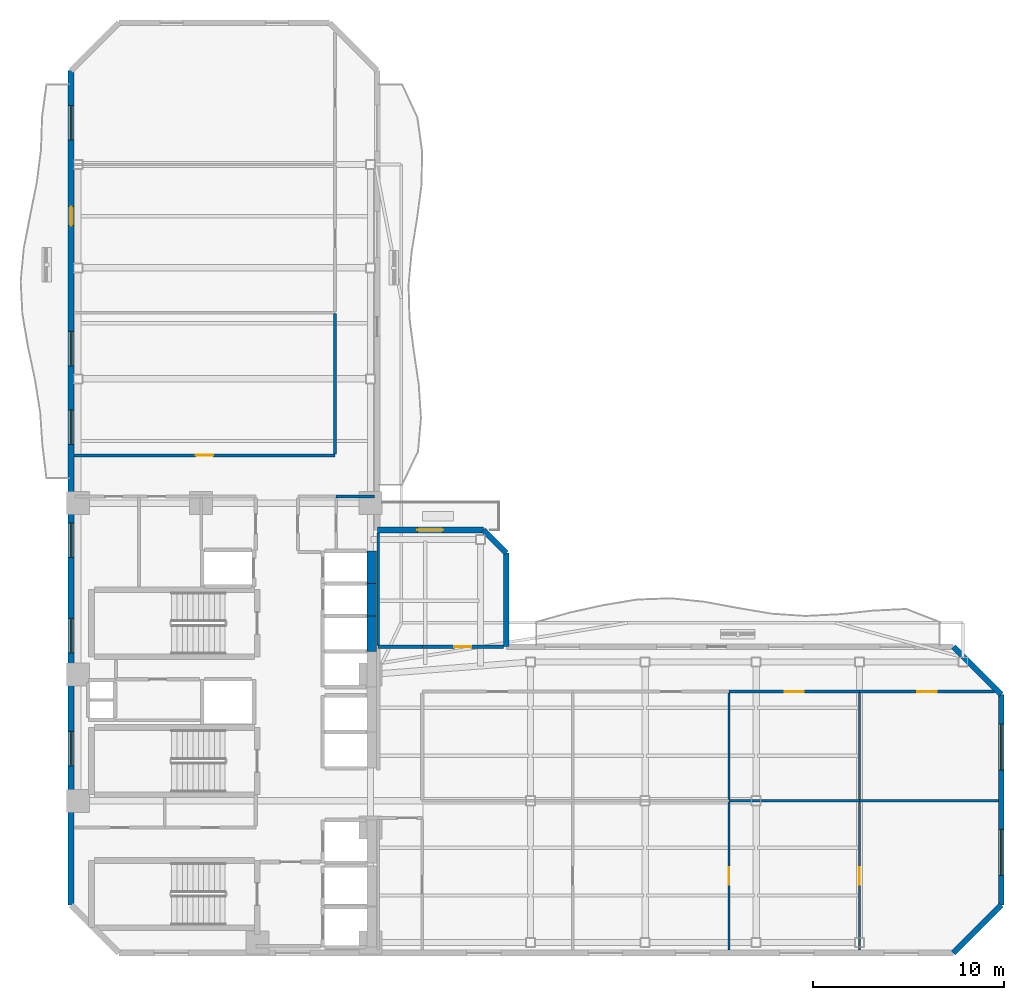
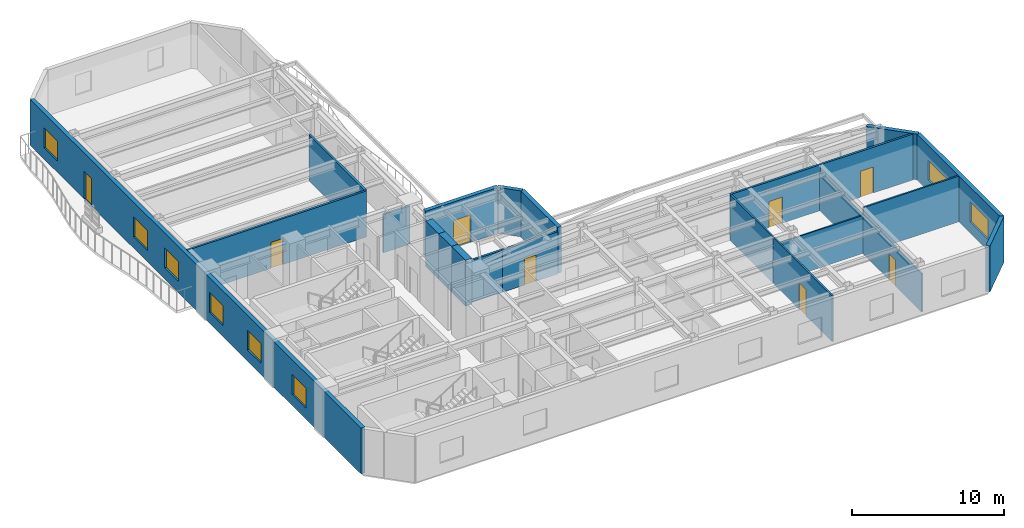
# One storey, part 5 of 10: 24 walls, 8 doors, 8 windows, 16 openings.
"""IFC4 building model written with IfcOpenShell, lengths in metres."""

from ifc_helpers import new_model, si_unit, direction, frame, frame_2d, origin, place, context, subcontext, project, spatial, rectangle, extrude, material, layer, layer_set, type_object, element, fill, save


model = new_model("IFC4")

# Units and contexts
model_context = context("Model", 3, precision=1e-05, world=origin(), true_north=direction((0.0, 1.0)))
body_context = subcontext(model_context, "Body", "Model", "MODEL_VIEW")
ifc_project = project(units=[si_unit("LENGTHUNIT", "METRE"), si_unit("AREAUNIT", "SQUARE_METRE"), si_unit("VOLUMEUNIT", "CUBIC_METRE"), si_unit("PLANEANGLEUNIT", "RADIAN"), si_unit("MASSUNIT", "GRAM", prefix="KILO")], contexts=[model_context])

# Site, building, storey
site_placement = place(None, origin())
site = spatial("IfcSite", under=ifc_project, at=site_placement, CompositionType="ELEMENT")
building_placement = place(site_placement, origin())
building = spatial("IfcBuilding", under=site, at=building_placement, Name="Mawjaban Terraces University", CompositionType="ELEMENT")
storey_placement = place(building_placement, frame((0.0, 0.0, 158.0)))
storey = spatial("IfcBuildingStorey", under=building, at=storey_placement, Name="L38", CompositionType="ELEMENT", Elevation=158.0)

# Walls
ifc_material_1 = material(Name="Concrete C60/75", Category="concrete")
ifc_layer_1 = layer(ifc_material_1, 0.5)
ifc_layer_set_1 = layer_set([ifc_layer_1], Name="Concrete C60/75")
wall_type_1 = type_object("IfcWallType", Name="CoreShearWall_500", PredefinedType="SHEAR", material=ifc_layer_set_1)
wall_1_placement = place(storey_placement, frame((37.699951171875, 15.75, 0.0), z_axis=(0.0, 0.0, 1.0), x_axis=(0.0, 1.0, 0.0)))
element("IfcWall", 1, at=wall_1_placement, inside=storey, type_object=wall_type_1, Name="L38 Lift OL-2 Hoistway Wall East", PredefinedType="SHEAR", context=body_context, shape_type="SweptSolid", body=[
    extrude(rectangle(XDim=1.85009765625, YDim=0.5, at=frame_2d((0.925048828125, 0.0))), origin(), (0.0, 0.0, 1.0), 3.68994140625),
])
for number, where, z_axis, x_axis, name in (
    (2, (37.699951171875, 17.60009765625, 0.0), (0.0, 0.0, 1.0), (0.0, 1.0, 0.0), "L38 Lift PL-M1 Hoistway Wall East"),
    (3, (37.699951171875, 19.300048828125, 0.0), (0.0, 0.0, 1.0), (0.0, 1.0, 0.0), "L38 Lift PL-M2 Hoistway Wall East"),
):
    element("IfcWall", number, at=place(storey_placement, frame(where, z_axis=z_axis, x_axis=x_axis)), inside=storey, type_object=wall_type_1, Name=name, PredefinedType="SHEAR", context=body_context, shape_type="SweptSolid", body=[
        extrude(rectangle(XDim=1.699951171875, YDim=0.5, at=frame_2d((0.85009765625, 0.0))), origin(), (0.0, 0.0, 1.0), 3.68994140625),
    ])

# Wall, opening, door
ifc_material_2 = material(Name="Fire-rated gypsum board on steel stud", Category="steel")
ifc_layer_2 = layer(ifc_material_2, 0.159912109375)
ifc_layer_set_2 = layer_set([ifc_layer_2], Name="Fire-rated gypsum board on steel stud")
wall_type_2 = type_object("IfcWallType", Name="CorridorPartition_160", PredefinedType="PARTITIONING", material=ifc_layer_set_2)
wall_2_placement = place(storey_placement, frame((35.800048828125, 26.0, 0.0), z_axis=(0.0, 0.0, 1.0), x_axis=(-1.0, 0.0, 0.0)))
wall_2 = element("IfcWall", 4, at=wall_2_placement, inside=storey, type_object=wall_type_2, Name="L38 North Core Cross-Corridor Partition 11", PredefinedType="PARTITIONING", context=body_context, shape_type="SweptSolid", body=[
    extrude(rectangle(XDim=13.655029296875, YDim=0.159912109375, at=frame_2d((6.82763671875, 0.0))), origin(), (0.0, 0.0, 1.0), 3.68994140625),
])
opening_1_placement = place(wall_2_placement, frame((6.376953125, 0.0, 0.0)))
opening_1 = element("IfcOpeningElement", 5, at=opening_1_placement, cuts=wall_2, Name="Opening ID-090", PredefinedType="OPENING", context=body_context, shape_type="SweptSolid", body=[
    extrude(rectangle(XDim=0.89990234375, YDim=2.10009765625, at=frame_2d((0.449951171875, 1.050048828125))), frame((0.0, 0.08984375, 0.0), z_axis=(0.0, -1.0, 0.0), x_axis=(1.0, 0.0, 0.0)), (0.0, 0.0, 1.0), 0.179931640625),
])
ifc_material_3 = material(Name="Powder-coated steel frame and solid acoustic timber leaf", Category="steel")
door_type_1 = type_object("IfcDoorType", Name="OfficeDoor_900x2100", OperationType="NOTDEFINED", PredefinedType="DOOR", material=ifc_material_3)
door_1_placement = place(opening_1_placement, origin())
door_1 = element("IfcDoor", 6, at=door_1_placement, inside=storey, type_object=door_type_1, Name="L38 Student Tea Pantry 10 Door", OperationType="SINGLE_SWING_RIGHT", OverallHeight=2.10009765625, OverallWidth=0.89990234375, PredefinedType="DOOR", context=body_context, shape_type="SweptSolid", body=[
    extrude(rectangle(XDim=0.89990234375, YDim=2.10009765625, at=frame_2d((0.449951171875, 1.050048828125))), frame((0.0, 0.02490234375, 0.0), z_axis=(0.0, -1.0, 0.0), x_axis=(1.0, 0.0, 0.0)), (0.0, 0.0, 1.0), 0.050048828125),
])
fill(opening_1, door_1)

# Walls
wall_3_placement = place(storey_placement, frame((37.85009765625, 23.85009765625, 0.0), z_axis=(0.0, 0.0, 1.0), x_axis=(-1.0, 0.0, 0.0)))
element("IfcWall", 7, at=wall_3_placement, inside=storey, type_object=wall_type_2, Name="L38 Faculty Archive Closet Partition 15", PredefinedType="PARTITIONING", context=body_context, shape_type="SweptSolid", body=[
    extrude(rectangle(XDim=2.0, YDim=0.159912109375, at=frame_2d((1.0, 0.0))), origin(), (0.0, 0.0, 1.0), 3.073974609375),
])
wall_4_placement = place(storey_placement, frame((40.35009765625, 16.0, 0.0), z_axis=(0.0, 0.0, 1.0), x_axis=(-1.0, 0.0, 0.0)))
element("IfcWall", 8, at=wall_4_placement, inside=storey, type_object=wall_type_2, Name="L38 Inner Gallery Link Corridor Partition 18", PredefinedType="PARTITIONING", context=body_context, shape_type="SweptSolid", body=[
    extrude(rectangle(XDim=2.300048828125, YDim=0.159912109375, at=frame_2d((1.14990234375, 0.0))), origin(), (0.0, 0.0, 1.0), 3.389892578125),
])

# Wall, opening, door
wall_5_placement = place(storey_placement, frame((40.35009765625, 16.0, 0.0), z_axis=(0.0, 0.0, 1.0), x_axis=(1.0, 0.0, 0.0)))
wall_5 = element("IfcWall", 9, at=wall_5_placement, inside=storey, type_object=wall_type_2, Name="L38 Terrace Collaborative Study Room Partition 19", PredefinedType="PARTITIONING", context=body_context, shape_type="SweptSolid", body=[
    extrude(rectangle(XDim=4.245849609375, YDim=0.159912109375, at=frame_2d((2.123046875, 0.0))), origin(), (0.0, 0.0, 1.0), 3.389892578125),
])
opening_2_placement = place(wall_5_placement, frame((1.673095703125, 0.0, 0.0)))
opening_2 = element("IfcOpeningElement", 10, at=opening_2_placement, cuts=wall_5, Name="Opening ID-090", PredefinedType="OPENING", context=body_context, shape_type="SweptSolid", body=[
    extrude(rectangle(XDim=0.89990234375, YDim=2.10009765625, at=frame_2d((0.449951171875, 1.050048828125))), frame((0.0, 0.08984375, 0.0), z_axis=(0.0, -1.0, 0.0), x_axis=(1.0, 0.0, 0.0)), (0.0, 0.0, 1.0), 0.179931640625),
])
door_2_placement = place(opening_2_placement, origin())
door_2 = element("IfcDoor", 11, at=door_2_placement, inside=storey, type_object=door_type_1, Name="L38 Terrace Collaborative Study Room Door", OperationType="SINGLE_SWING_LEFT", OverallHeight=2.10009765625, OverallWidth=0.89990234375, PredefinedType="DOOR", context=body_context, shape_type="SweptSolid", body=[
    extrude(rectangle(XDim=0.89990234375, YDim=2.10009765625, at=frame_2d((0.449951171875, 1.050048828125))), frame((0.0, 0.02490234375, 0.0), z_axis=(0.0, -1.0, 0.0), x_axis=(1.0, 0.0, 0.0)), (0.0, 0.0, 1.0), 0.050048828125),
])
fill(opening_2, door_2)

wall_6_placement = place(storey_placement, frame((56.3798828125, 13.64990234375, 0.0), z_axis=(0.0, 0.0, 1.0), x_axis=(1.0, 0.0, 0.0)))
wall_6 = element("IfcWall", 12, at=wall_6_placement, inside=storey, type_object=wall_type_2, Name="L38 Inner Terrace Gallery Corridor East Partition 23", PredefinedType="PARTITIONING", context=body_context, shape_type="SweptSolid", body=[
    extrude(rectangle(XDim=6.820068359375, YDim=0.159912109375, at=frame_2d((3.41015625, 0.0))), origin(), (0.0, 0.0, 1.0), 3.68994140625),
])
opening_3_placement = place(wall_6_placement, frame((2.909912109375, 0.0, 0.0)))
opening_3 = element("IfcOpeningElement", 13, at=opening_3_placement, cuts=wall_6, Name="Opening ID-100", PredefinedType="OPENING", context=body_context, shape_type="SweptSolid", body=[
    extrude(rectangle(XDim=1.0, YDim=2.10009765625, at=frame_2d((0.5, 1.050048828125))), frame((0.0, 0.08984375, 0.0), z_axis=(0.0, -1.0, 0.0), x_axis=(1.0, 0.0, 0.0)), (0.0, 0.0, 1.0), 0.179931640625),
])
door_type_2 = type_object("IfcDoorType", Name="ClassroomDoor_1000x2100", OperationType="NOTDEFINED", PredefinedType="DOOR", material=ifc_material_3)
door_3_placement = place(opening_3_placement, origin())
door_3 = element("IfcDoor", 14, at=door_3_placement, inside=storey, type_object=door_type_2, Name="L38 Classroom 7 Door", OperationType="SINGLE_SWING_LEFT", OverallHeight=2.10009765625, OverallWidth=1.0, PredefinedType="DOOR", context=body_context, shape_type="SweptSolid", body=[
    extrude(rectangle(XDim=1.0, YDim=2.10009765625, at=frame_2d((0.5, 1.050048828125))), frame((0.0, 0.02490234375, 0.0), z_axis=(0.0, -1.0, 0.0), x_axis=(1.0, 0.0, 0.0)), (0.0, 0.0, 1.0), 0.050048828125),
])
fill(opening_3, door_3)

wall_7_placement = place(storey_placement, frame((63.199951171875, 13.64990234375, 0.0), z_axis=(0.0, 0.0, 1.0), x_axis=(1.0, 0.0, 0.0)))
wall_7 = element("IfcWall", 15, at=wall_7_placement, inside=storey, type_object=wall_type_2, Name="L38 Inner Terrace Gallery Corridor East Partition 25", PredefinedType="PARTITIONING", context=body_context, shape_type="SweptSolid", body=[
    extrude(rectangle(XDim=7.045166015625, YDim=0.159912109375, at=frame_2d((3.5224609375, 0.0))), origin(), (0.0, 0.0, 1.0), 3.68994140625),
])
opening_4_placement = place(wall_7_placement, frame((3.02294921875, 0.0, 0.0)))
opening_4 = element("IfcOpeningElement", 16, at=opening_4_placement, cuts=wall_7, Name="Opening ID-100", PredefinedType="OPENING", context=body_context, shape_type="SweptSolid", body=[
    extrude(rectangle(XDim=1.0, YDim=2.10009765625, at=frame_2d((0.5, 1.050048828125))), frame((0.0, 0.08984375, 0.0), z_axis=(0.0, -1.0, 0.0), x_axis=(1.0, 0.0, 0.0)), (0.0, 0.0, 1.0), 0.179931640625),
])
door_4_placement = place(opening_4_placement, origin())
door_4 = element("IfcDoor", 17, at=door_4_placement, inside=storey, type_object=door_type_2, Name="L38 Tutorial Room 9 Door", OperationType="SINGLE_SWING_LEFT", OverallHeight=2.10009765625, OverallWidth=1.0, PredefinedType="DOOR", context=body_context, shape_type="SweptSolid", body=[
    extrude(rectangle(XDim=1.0, YDim=2.10009765625, at=frame_2d((0.5, 1.050048828125))), frame((0.0, 0.02490234375, 0.0), z_axis=(0.0, -1.0, 0.0), x_axis=(1.0, 0.0, 0.0)), (0.0, 0.0, 1.0), 0.050048828125),
])
fill(opening_4, door_4)

# Walls
wall_8_placement = place(storey_placement, frame((35.800048828125, 33.403076171875, 0.0), z_axis=(0.0, 0.0, 1.0), x_axis=(0.0, -1.0, 0.0)))
element("IfcWall", 18, at=wall_8_placement, inside=storey, type_object=wall_type_2, Name="L38 Inner Terrace Gallery Corridor North Partition 34", PredefinedType="PARTITIONING", context=body_context, shape_type="SweptSolid", body=[
    extrude(rectangle(XDim=7.328125, YDim=0.159912109375, at=frame_2d((3.6640625, 0.0))), origin(), (0.0, 0.0, 1.0), 3.68994140625),
])
ifc_material_4 = material(Name="Insulated terracotta rainscreen on concrete backup C40/50", Category="masonry")
ifc_layer_3 = layer(ifc_material_4, 0.300048828125)
ifc_layer_set_3 = layer_set([ifc_layer_3], Name="Insulated terracotta rainscreen on concrete backup C40/50")
wall_type_3 = type_object("IfcWallType", Name="ExtTerracottaWall_300", PredefinedType="SOLIDWALL", material=ifc_layer_set_3)
wall_9_placement = place(storey_placement, frame((68.10009765625, 0.0, 0.0), z_axis=(0.0, 0.0, 1.0), x_axis=(0.707106781187, 0.707106781187, 0.0)))
element("IfcWall", 19, at=wall_9_placement, inside=storey, type_object=wall_type_3, Name="L38 Exterior Terracotta Wall 2", PredefinedType="SOLIDWALL", context=body_context, shape_type="SweptSolid", body=[
    extrude(rectangle(XDim=3.53564453125, YDim=0.300048828125, at=frame_2d((1.767822265625, 0.0))), origin(), (0.0, 0.0, 1.0), 3.68994140625),
])

# Wall, openings, windows
wall_10_placement = place(storey_placement, frame((70.60009765625, 2.5, 0.0), z_axis=(0.0, 0.0, 1.0), x_axis=(0.0, 1.0, 0.0)))
wall_10 = element("IfcWall", 20, at=wall_10_placement, inside=storey, type_object=wall_type_3, Name="L38 Exterior Terracotta Wall 3", PredefinedType="SOLIDWALL", context=body_context, shape_type="SweptSolid", body=[
    extrude(rectangle(XDim=11.0, YDim=0.300048828125, at=frame_2d((5.5, 0.0))), origin(), (0.0, 0.0, 1.0), 3.68994140625),
])
opening_5_placement = place(wall_10_placement, frame((1.550048828125, 0.0, 0.89990234375)))
opening_5 = element("IfcOpeningElement", 21, at=opening_5_placement, cuts=wall_10, Name="Opening W-05", PredefinedType="OPENING", context=body_context, shape_type="SweptSolid", body=[
    extrude(rectangle(XDim=2.39990234375, YDim=1.60009765625, at=frame_2d((1.199951171875, 0.800048828125))), frame((0.0, 0.159912109375, 0.0), z_axis=(0.0, -1.0, 0.0), x_axis=(1.0, 0.0, 0.0)), (0.0, 0.0, 1.0), 0.320068359375),
])
opening_6_placement = place(wall_10_placement, frame((7.050048828125, 0.0, 0.89990234375)))
opening_6 = element("IfcOpeningElement", 22, at=opening_6_placement, cuts=wall_10, Name="Opening W-05", PredefinedType="OPENING", context=body_context, shape_type="SweptSolid", body=[
    extrude(rectangle(XDim=2.39990234375, YDim=1.60009765625, at=frame_2d((1.199951171875, 0.800048828125))), frame((0.0, 0.159912109375, 0.0), z_axis=(0.0, -1.0, 0.0), x_axis=(1.0, 0.0, 0.0)), (0.0, 0.0, 1.0), 0.320068359375),
])
ifc_material_5 = material(Name="Low-E solar-control double glazing in thermally broken aluminium frame", Category="aluminium")
window_type_1 = type_object("IfcWindowType", Name="Win_2400x1600", PartitioningType="SINGLE_PANEL", PredefinedType="WINDOW", material=ifc_material_5)
window_1_placement = place(opening_5_placement, origin())
window_1 = element("IfcWindow", 23, at=window_1_placement, inside=storey, type_object=window_type_1, Name="L38 Facade Window 3.1", OverallHeight=1.60009765625, OverallWidth=2.39990234375, PartitioningType="SINGLE_PANEL", PredefinedType="WINDOW", context=body_context, shape_type="SweptSolid", body=[
    extrude(rectangle(XDim=2.39990234375, YDim=1.60009765625, at=frame_2d((1.199951171875, 0.800048828125))), frame((0.0, 0.030029296875, 0.0), z_axis=(0.0, -1.0, 0.0), x_axis=(1.0, 0.0, 0.0)), (0.0, 0.0, 1.0), 0.06005859375),
])
fill(opening_5, window_1)
window_2_placement = place(opening_6_placement, origin())
window_2 = element("IfcWindow", 24, at=window_2_placement, inside=storey, type_object=window_type_1, Name="L38 Facade Window 3.2", OverallHeight=1.60009765625, OverallWidth=2.39990234375, PartitioningType="SINGLE_PANEL", PredefinedType="WINDOW", context=body_context, shape_type="SweptSolid", body=[
    extrude(rectangle(XDim=2.39990234375, YDim=1.60009765625, at=frame_2d((1.199951171875, 0.800048828125))), frame((0.0, 0.030029296875, 0.0), z_axis=(0.0, -1.0, 0.0), x_axis=(1.0, 0.0, 0.0)), (0.0, 0.0, 1.0), 0.06005859375),
])
fill(opening_6, window_2)

# Walls
wall_11_placement = place(storey_placement, frame((70.60009765625, 13.5, 0.0), z_axis=(0.0, 0.0, 1.0), x_axis=(-0.707106781187, 0.707106781187, 0.0)))
element("IfcWall", 25, at=wall_11_placement, inside=storey, type_object=wall_type_3, Name="L38 Exterior Terracotta Wall 4", PredefinedType="SOLIDWALL", context=body_context, shape_type="SweptSolid", body=[
    extrude(rectangle(XDim=3.53564453125, YDim=0.300048828125, at=frame_2d((1.767822265625, 0.0))), origin(), (0.0, 0.0, 1.0), 3.68994140625),
])
wall_12_placement = place(storey_placement, frame((44.740966796875, 16.0, 0.0), z_axis=(0.0, 0.0, 1.0), x_axis=(0.0, 1.0, 0.0)))
element("IfcWall", 26, at=wall_12_placement, inside=storey, type_object=wall_type_3, Name="L38 Exterior Terracotta Wall 6", PredefinedType="SOLIDWALL", context=body_context, shape_type="SweptSolid", body=[
    extrude(rectangle(XDim=4.89990234375, YDim=0.300048828125, at=frame_2d((2.449951171875, 0.0))), origin(), (0.0, 0.0, 1.0), 3.68994140625),
])
wall_13_placement = place(storey_placement, frame((44.740966796875, 20.89990234375, 0.0), z_axis=(0.0, 0.0, 1.0), x_axis=(-0.707034851297, 0.707178703759, 0.0)))
element("IfcWall", 27, at=wall_13_placement, inside=storey, type_object=wall_type_3, Name="L38 Exterior Terracotta Wall 7", PredefinedType="SOLIDWALL", context=body_context, shape_type="SweptSolid", body=[
    extrude(rectangle(XDim=1.697265625, YDim=0.300048828125, at=frame_2d((0.8486328125, 0.0))), origin(), (0.0, 0.0, 1.0), 3.68994140625),
])

# Wall, opening, door
wall_14_placement = place(storey_placement, frame((43.541015625, 22.10009765625, 0.0), z_axis=(0.0, 0.0, 1.0), x_axis=(-1.0, 0.0, 0.0)))
wall_14 = element("IfcWall", 28, at=wall_14_placement, inside=storey, type_object=wall_type_3, Name="L38 Exterior Terracotta Wall 8", PredefinedType="SOLIDWALL", context=body_context, shape_type="SweptSolid", body=[
    extrude(rectangle(XDim=5.541015625, YDim=0.300048828125, at=frame_2d((2.7705078125, 0.0))), origin(), (0.0, 0.0, 1.0), 3.68994140625),
])
opening_7_placement = place(wall_14_placement, frame((2.094970703125, 0.0, 0.0)))
opening_7 = element("IfcOpeningElement", 29, at=opening_7_placement, cuts=wall_14, Name="Opening TD-135", PredefinedType="OPENING", context=body_context, shape_type="SweptSolid", body=[
    extrude(rectangle(XDim=1.35009765625, YDim=2.199951171875, at=frame_2d((0.675048828125, 1.10009765625))), frame((0.0, 0.159912109375, 0.0), z_axis=(0.0, -1.0, 0.0), x_axis=(1.0, 0.0, 0.0)), (0.0, 0.0, 1.0), 0.320068359375),
])
ifc_material_6 = material(Name="Thermally broken anodised aluminium and laminated safety glass", Category="aluminium")
door_type_3 = type_object("IfcDoorType", Name="TerraceGlazedDoor_1350x2200", OperationType="NOTDEFINED", PredefinedType="DOOR", material=ifc_material_6)
door_5_placement = place(opening_7_placement, origin())
door_5 = element("IfcDoor", 30, at=door_5_placement, inside=storey, type_object=door_type_3, Name="L38 Terrace Access Door TER-L38-CLIMB", OperationType="SINGLE_SWING_RIGHT", OverallHeight=2.199951171875, OverallWidth=1.35009765625, PredefinedType="DOOR", context=body_context, shape_type="SweptSolid", body=[
    extrude(rectangle(XDim=1.35009765625, YDim=2.199951171875, at=frame_2d((0.675048828125, 1.10009765625))), frame((0.0, 0.02490234375, 0.0), z_axis=(0.0, -1.0, 0.0), x_axis=(1.0, 0.0, 0.0)), (0.0, 0.0, 1.0), 0.050048828125),
])
fill(opening_7, door_5)

# Wall, openings, door, windows
wall_15_placement = place(storey_placement, frame((22.0, 46.10009765625, 0.0), z_axis=(0.0, 0.0, 1.0), x_axis=(0.0, -1.0, 0.0)))
wall_15 = element("IfcWall", 31, at=wall_15_placement, inside=storey, type_object=wall_type_3, Name="L38 Exterior Terracotta Wall 13", PredefinedType="SOLIDWALL", context=body_context, shape_type="SweptSolid", body=[
    extrude(rectangle(XDim=43.60009765625, YDim=0.300048828125, at=frame_2d((21.800048828125, 0.0))), origin(), (0.0, 0.0, 1.0), 3.68994140625),
])
opening_8_placement = place(wall_15_placement, frame((7.10009765625, 0.0, 0.0)))
opening_8 = element("IfcOpeningElement", 32, at=opening_8_placement, cuts=wall_15, Name="Opening BD-100", PredefinedType="OPENING", context=body_context, shape_type="SweptSolid", body=[
    extrude(rectangle(XDim=1.0, YDim=2.199951171875, at=frame_2d((0.5, 1.10009765625))), frame((0.0, 0.159912109375, 0.0), z_axis=(0.0, -1.0, 0.0), x_axis=(1.0, 0.0, 0.0)), (0.0, 0.0, 1.0), 0.320068359375),
])
opening_9_placement = place(wall_15_placement, frame((1.824951171875, 0.0, 0.89990234375)))
opening_9 = element("IfcOpeningElement", 33, at=opening_9_placement, cuts=wall_15, Name="Opening W-03", PredefinedType="OPENING", context=body_context, shape_type="SweptSolid", body=[
    extrude(rectangle(XDim=1.800048828125, YDim=1.60009765625, at=frame_2d((0.89990234375, 0.800048828125))), frame((0.0, 0.159912109375, 0.0), z_axis=(0.0, -1.0, 0.0), x_axis=(1.0, 0.0, 0.0)), (0.0, 0.0, 1.0), 0.320068359375),
])
opening_10_placement = place(wall_15_placement, frame((13.625, 0.0, 0.89990234375)))
opening_10 = element("IfcOpeningElement", 34, at=opening_10_placement, cuts=wall_15, Name="Opening W-03", PredefinedType="OPENING", context=body_context, shape_type="SweptSolid", body=[
    extrude(rectangle(XDim=1.800048828125, YDim=1.60009765625, at=frame_2d((0.89990234375, 0.800048828125))), frame((0.0, 0.159912109375, 0.0), z_axis=(0.0, -1.0, 0.0), x_axis=(1.0, 0.0, 0.0)), (0.0, 0.0, 1.0), 0.320068359375),
])
opening_11_placement = place(wall_15_placement, frame((17.72509765625, 0.0, 0.89990234375)))
opening_11 = element("IfcOpeningElement", 35, at=opening_11_placement, cuts=wall_15, Name="Opening W-03", PredefinedType="OPENING", context=body_context, shape_type="SweptSolid", body=[
    extrude(rectangle(XDim=1.800048828125, YDim=1.60009765625, at=frame_2d((0.89990234375, 0.800048828125))), frame((0.0, 0.159912109375, 0.0), z_axis=(0.0, -1.0, 0.0), x_axis=(1.0, 0.0, 0.0)), (0.0, 0.0, 1.0), 0.320068359375),
])
opening_12_placement = place(wall_15_placement, frame((23.625, 0.0, 0.89990234375)))
opening_12 = element("IfcOpeningElement", 36, at=opening_12_placement, cuts=wall_15, Name="Opening W-03", PredefinedType="OPENING", context=body_context, shape_type="SweptSolid", body=[
    extrude(rectangle(XDim=1.800048828125, YDim=1.60009765625, at=frame_2d((0.89990234375, 0.800048828125))), frame((0.0, 0.159912109375, 0.0), z_axis=(0.0, -1.0, 0.0), x_axis=(1.0, 0.0, 0.0)), (0.0, 0.0, 1.0), 0.320068359375),
])
opening_13_placement = place(wall_15_placement, frame((28.625, 0.0, 0.89990234375)))
opening_13 = element("IfcOpeningElement", 37, at=opening_13_placement, cuts=wall_15, Name="Opening W-03", PredefinedType="OPENING", context=body_context, shape_type="SweptSolid", body=[
    extrude(rectangle(XDim=1.800048828125, YDim=1.60009765625, at=frame_2d((0.89990234375, 0.800048828125))), frame((0.0, 0.159912109375, 0.0), z_axis=(0.0, -1.0, 0.0), x_axis=(1.0, 0.0, 0.0)), (0.0, 0.0, 1.0), 0.320068359375),
])
opening_14_placement = place(wall_15_placement, frame((34.52490234375, 0.0, 0.89990234375)))
opening_14 = element("IfcOpeningElement", 38, at=opening_14_placement, cuts=wall_15, Name="Opening W-03", PredefinedType="OPENING", context=body_context, shape_type="SweptSolid", body=[
    extrude(rectangle(XDim=1.800048828125, YDim=1.60009765625, at=frame_2d((0.89990234375, 0.800048828125))), frame((0.0, 0.159912109375, 0.0), z_axis=(0.0, -1.0, 0.0), x_axis=(1.0, 0.0, 0.0)), (0.0, 0.0, 1.0), 0.320068359375),
])
door_type_4 = type_object("IfcDoorType", Name="BalconyGlazedDoor_1000x2200", OperationType="NOTDEFINED", PredefinedType="DOOR", material=ifc_material_6)
door_6_placement = place(opening_8_placement, origin())
door_6 = element("IfcDoor", 39, at=door_6_placement, inside=storey, type_object=door_type_4, Name="L38 Balcony Access Door west", OperationType="SINGLE_SWING_LEFT", OverallHeight=2.199951171875, OverallWidth=1.0, PredefinedType="DOOR", context=body_context, shape_type="SweptSolid", body=[
    extrude(rectangle(XDim=1.0, YDim=2.199951171875, at=frame_2d((0.5, 1.10009765625))), frame((0.0, 0.02490234375, 0.0), z_axis=(0.0, -1.0, 0.0), x_axis=(1.0, 0.0, 0.0)), (0.0, 0.0, 1.0), 0.050048828125),
])
fill(opening_8, door_6)
window_type_2 = type_object("IfcWindowType", Name="Win_1800x1600", PartitioningType="SINGLE_PANEL", PredefinedType="WINDOW", material=ifc_material_5)
window_3_placement = place(opening_9_placement, origin())
window_3 = element("IfcWindow", 40, at=window_3_placement, inside=storey, type_object=window_type_2, Name="L38 Facade Window 13.1", OverallHeight=1.60009765625, OverallWidth=1.800048828125, PartitioningType="SINGLE_PANEL", PredefinedType="WINDOW", context=body_context, shape_type="SweptSolid", body=[
    extrude(rectangle(XDim=1.800048828125, YDim=1.60009765625, at=frame_2d((0.89990234375, 0.800048828125))), frame((0.0, 0.030029296875, 0.0), z_axis=(0.0, -1.0, 0.0), x_axis=(1.0, 0.0, 0.0)), (0.0, 0.0, 1.0), 0.06005859375),
])
fill(opening_9, window_3)
window_4_placement = place(opening_10_placement, origin())
window_4 = element("IfcWindow", 41, at=window_4_placement, inside=storey, type_object=window_type_2, Name="L38 Facade Window 13.3", OverallHeight=1.60009765625, OverallWidth=1.800048828125, PartitioningType="SINGLE_PANEL", PredefinedType="WINDOW", context=body_context, shape_type="SweptSolid", body=[
    extrude(rectangle(XDim=1.800048828125, YDim=1.60009765625, at=frame_2d((0.89990234375, 0.800048828125))), frame((0.0, 0.030029296875, 0.0), z_axis=(0.0, -1.0, 0.0), x_axis=(1.0, 0.0, 0.0)), (0.0, 0.0, 1.0), 0.06005859375),
])
fill(opening_10, window_4)
window_5_placement = place(opening_11_placement, origin())
window_5 = element("IfcWindow", 42, at=window_5_placement, inside=storey, type_object=window_type_2, Name="L38 Facade Window 13.4", OverallHeight=1.60009765625, OverallWidth=1.800048828125, PartitioningType="SINGLE_PANEL", PredefinedType="WINDOW", context=body_context, shape_type="SweptSolid", body=[
    extrude(rectangle(XDim=1.800048828125, YDim=1.60009765625, at=frame_2d((0.89990234375, 0.800048828125))), frame((0.0, 0.030029296875, 0.0), z_axis=(0.0, -1.0, 0.0), x_axis=(1.0, 0.0, 0.0)), (0.0, 0.0, 1.0), 0.06005859375),
])
fill(opening_11, window_5)
window_6_placement = place(opening_12_placement, origin())
window_6 = element("IfcWindow", 43, at=window_6_placement, inside=storey, type_object=window_type_2, Name="L38 Facade Window 13.5", OverallHeight=1.60009765625, OverallWidth=1.800048828125, PartitioningType="SINGLE_PANEL", PredefinedType="WINDOW", context=body_context, shape_type="SweptSolid", body=[
    extrude(rectangle(XDim=1.800048828125, YDim=1.60009765625, at=frame_2d((0.89990234375, 0.800048828125))), frame((0.0, 0.030029296875, 0.0), z_axis=(0.0, -1.0, 0.0), x_axis=(1.0, 0.0, 0.0)), (0.0, 0.0, 1.0), 0.06005859375),
])
fill(opening_12, window_6)
window_7_placement = place(opening_13_placement, origin())
window_7 = element("IfcWindow", 44, at=window_7_placement, inside=storey, type_object=window_type_2, Name="L38 Facade Window 13.6", OverallHeight=1.60009765625, OverallWidth=1.800048828125, PartitioningType="SINGLE_PANEL", PredefinedType="WINDOW", context=body_context, shape_type="SweptSolid", body=[
    extrude(rectangle(XDim=1.800048828125, YDim=1.60009765625, at=frame_2d((0.89990234375, 0.800048828125))), frame((0.0, 0.030029296875, 0.0), z_axis=(0.0, -1.0, 0.0), x_axis=(1.0, 0.0, 0.0)), (0.0, 0.0, 1.0), 0.06005859375),
])
fill(opening_13, window_7)
window_8_placement = place(opening_14_placement, origin())
window_8 = element("IfcWindow", 45, at=window_8_placement, inside=storey, type_object=window_type_2, Name="L38 Facade Window 13.7", OverallHeight=1.60009765625, OverallWidth=1.800048828125, PartitioningType="SINGLE_PANEL", PredefinedType="WINDOW", context=body_context, shape_type="SweptSolid", body=[
    extrude(rectangle(XDim=1.800048828125, YDim=1.60009765625, at=frame_2d((0.89990234375, 0.800048828125))), frame((0.0, 0.030029296875, 0.0), z_axis=(0.0, -1.0, 0.0), x_axis=(1.0, 0.0, 0.0)), (0.0, 0.0, 1.0), 0.06005859375),
])
fill(opening_14, window_8)

# Walls
ifc_material_7 = material(Name="Gypsum plasterboard on steel stud", Category="steel")
ifc_layer_4 = layer(ifc_material_7, 0.125)
ifc_layer_set_4 = layer_set([ifc_layer_4], Name="Gypsum plasterboard on steel stud")
wall_type_4 = type_object("IfcWallType", Name="OfficePartition_125", PredefinedType="PARTITIONING", material=ifc_layer_set_4)
wall_16_placement = place(storey_placement, frame((70.455078125, 7.949951171875, 0.0), z_axis=(0.0, 0.0, 1.0), x_axis=(-1.0, 0.0, 0.0)))
element("IfcWall", 46, at=wall_16_placement, inside=storey, type_object=wall_type_4, Name="L38 Seminar Room 8 Partition 26", PredefinedType="PARTITIONING", context=body_context, shape_type="SweptSolid", body=[
    extrude(rectangle(XDim=7.255126953125, YDim=0.125, at=frame_2d((3.62744140625, 0.0))), origin(), (0.0, 0.0, 1.0), 3.68994140625),
])
wall_17_placement = place(storey_placement, frame((38.050048828125, 21.955078125, 0.0), z_axis=(0.0, 0.0, 1.0), x_axis=(0.0, -1.0, 0.0)))
element("IfcWall", 47, at=wall_17_placement, inside=storey, type_object=wall_type_4, Name="L38 Terrace Collaborative Study Room Partition 40", PredefinedType="PARTITIONING", context=body_context, shape_type="SweptSolid", body=[
    extrude(rectangle(XDim=5.880126953125, YDim=0.125, at=frame_2d((2.93994140625, 0.0))), origin(), (0.0, 0.0, 1.0), 3.073974609375),
])

# Wall, opening, door
wall_18_placement = place(storey_placement, frame((56.3798828125, 0.14501953125, 0.0), z_axis=(0.0, 0.0, 1.0), x_axis=(0.0, 1.0, 0.0)))
wall_18 = element("IfcWall", 48, at=wall_18_placement, inside=storey, type_object=wall_type_4, Name="L38 Seminar Room 4 Partition 45", PredefinedType="PARTITIONING", context=body_context, shape_type="SweptSolid", body=[
    extrude(rectangle(XDim=7.748046875, YDim=0.125, at=frame_2d((3.8740234375, 0.0))), origin(), (0.0, 0.0, 1.0), 3.68994140625),
])
opening_15_placement = place(wall_18_placement, frame((3.424072265625, 0.0, 0.0)))
opening_15 = element("IfcOpeningElement", 49, at=opening_15_placement, cuts=wall_18, Name="Opening ID-090", PredefinedType="OPENING", context=body_context, shape_type="SweptSolid", body=[
    extrude(rectangle(XDim=0.89990234375, YDim=2.10009765625, at=frame_2d((0.449951171875, 1.050048828125))), frame((0.0, 0.072509765625, 0.0), z_axis=(0.0, -1.0, 0.0), x_axis=(1.0, 0.0, 0.0)), (0.0, 0.0, 1.0), 0.14501953125),
])
door_7_placement = place(opening_15_placement, origin())
door_7 = element("IfcDoor", 50, at=door_7_placement, inside=storey, type_object=door_type_1, Name="L38 Conference Room 6 Door", OperationType="SINGLE_SWING_RIGHT", OverallHeight=2.10009765625, OverallWidth=0.89990234375, PredefinedType="DOOR", context=body_context, shape_type="SweptSolid", body=[
    extrude(rectangle(XDim=0.89990234375, YDim=2.10009765625, at=frame_2d((0.449951171875, 1.050048828125))), frame((0.0, 0.02490234375, 0.0), z_axis=(0.0, -1.0, 0.0), x_axis=(1.0, 0.0, 0.0)), (0.0, 0.0, 1.0), 0.050048828125),
])
fill(opening_15, door_7)

# Wall
wall_19_placement = place(storey_placement, frame((56.3798828125, 8.008056640625, 0.0), z_axis=(0.0, 0.0, 1.0), x_axis=(0.0, 1.0, 0.0)))
element("IfcWall", 51, at=wall_19_placement, inside=storey, type_object=wall_type_4, Name="L38 Tutorial Room 5 Partition 46", PredefinedType="PARTITIONING", context=body_context, shape_type="SweptSolid", body=[
    extrude(rectangle(XDim=5.56689453125, YDim=0.125, at=frame_2d((2.783447265625, 0.0))), origin(), (0.0, 0.0, 1.0), 3.68994140625),
])

# Wall, opening, door
wall_20_placement = place(storey_placement, frame((63.199951171875, 0.14501953125, 0.0), z_axis=(0.0, 0.0, 1.0), x_axis=(0.0, 1.0, 0.0)))
wall_20 = element("IfcWall", 52, at=wall_20_placement, inside=storey, type_object=wall_type_4, Name="L38 Conference Room 6 Partition 47", PredefinedType="PARTITIONING", context=body_context, shape_type="SweptSolid", body=[
    extrude(rectangle(XDim=7.748046875, YDim=0.125, at=frame_2d((3.8740234375, 0.0))), origin(), (0.0, 0.0, 1.0), 3.073974609375),
])
opening_16_placement = place(wall_20_placement, frame((3.424072265625, 0.0, 0.0)))
opening_16 = element("IfcOpeningElement", 53, at=opening_16_placement, cuts=wall_20, Name="Opening ID-090", PredefinedType="OPENING", context=body_context, shape_type="SweptSolid", body=[
    extrude(rectangle(XDim=0.89990234375, YDim=2.10009765625, at=frame_2d((0.449951171875, 1.050048828125))), frame((0.0, 0.072509765625, 0.0), z_axis=(0.0, -1.0, 0.0), x_axis=(1.0, 0.0, 0.0)), (0.0, 0.0, 1.0), 0.14501953125),
])
door_8_placement = place(opening_16_placement, origin())
door_8 = element("IfcDoor", 54, at=door_8_placement, inside=storey, type_object=door_type_1, Name="L38 Seminar Room 8 Door", OperationType="SINGLE_SWING_RIGHT", OverallHeight=2.10009765625, OverallWidth=0.89990234375, PredefinedType="DOOR", context=body_context, shape_type="SweptSolid", body=[
    extrude(rectangle(XDim=0.89990234375, YDim=2.10009765625, at=frame_2d((0.449951171875, 1.050048828125))), frame((0.0, 0.02490234375, 0.0), z_axis=(0.0, -1.0, 0.0), x_axis=(1.0, 0.0, 0.0)), (0.0, 0.0, 1.0), 0.050048828125),
])
fill(opening_16, door_8)

# Walls
wall_21_placement = place(storey_placement, frame((63.199951171875, 8.008056640625, 0.0), z_axis=(0.0, 0.0, 1.0), x_axis=(0.0, 1.0, 0.0)))
element("IfcWall", 55, at=wall_21_placement, inside=storey, type_object=wall_type_4, Name="L38 Classroom 7 Partition 48", PredefinedType="PARTITIONING", context=body_context, shape_type="SweptSolid", body=[
    extrude(rectangle(XDim=5.56689453125, YDim=0.125, at=frame_2d((2.783447265625, 0.0))), origin(), (0.0, 0.0, 1.0), 3.073974609375),
])
ifc_material_8 = material(Name="Acoustic operable panel partition", Category="masonry")
ifc_layer_5 = layer(ifc_material_8, 0.110107421875)
ifc_layer_set_5 = layer_set([ifc_layer_5], Name="Acoustic operable panel partition")
wall_type_5 = type_object("IfcWallType", Name="OperableSeminarWall_110", PredefinedType="MOVABLE", material=ifc_layer_set_5)
wall_22_placement = place(storey_placement, frame((63.199951171875, 7.949951171875, 0.0), z_axis=(0.0, 0.0, 1.0), x_axis=(-1.0, 0.0, 0.0)))
element("IfcWall", 56, at=wall_22_placement, inside=storey, type_object=wall_type_5, Name="L38 Conference Room 6 Partition 24", PredefinedType="MOVABLE", context=body_context, shape_type="SweptSolid", body=[
    extrude(rectangle(XDim=6.820068359375, YDim=0.110107421875, at=frame_2d((3.41015625, 0.0))), origin(), (0.0, 0.0, 1.0), 3.073974609375),
])

save(model, "model.ifc")
